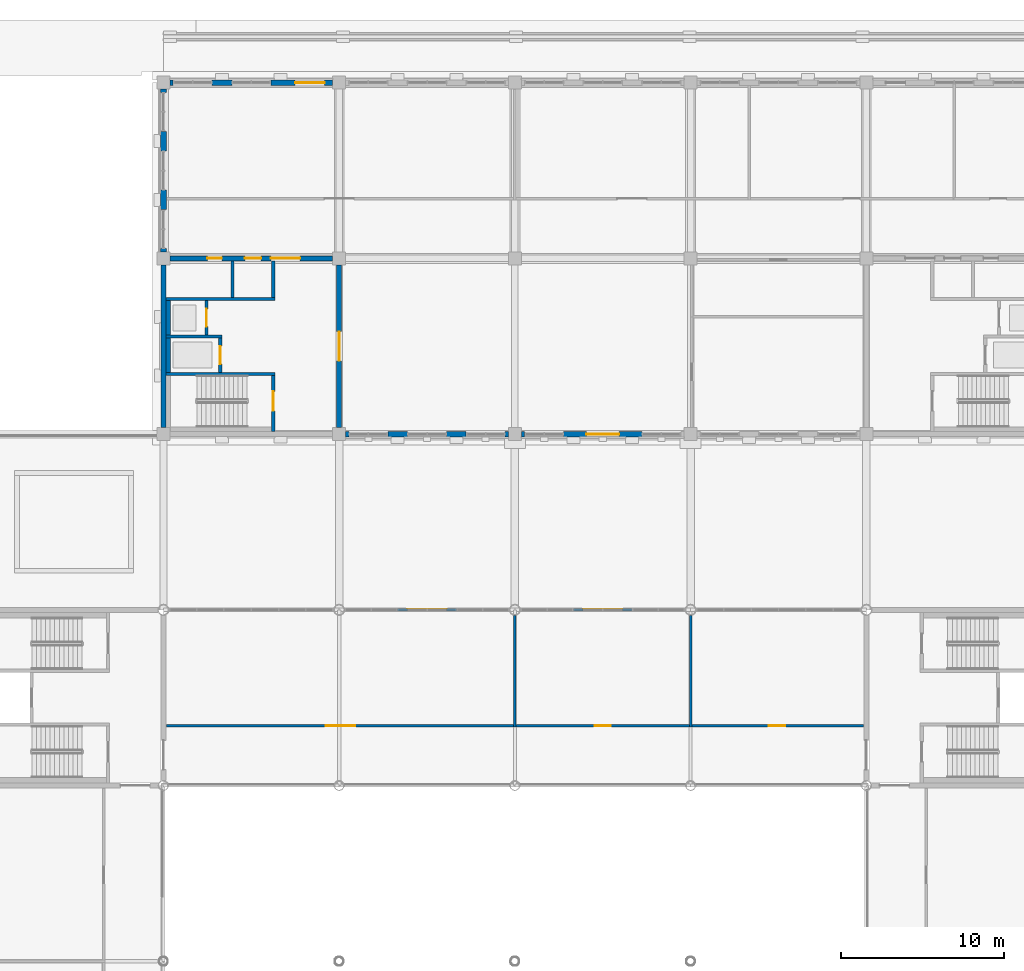
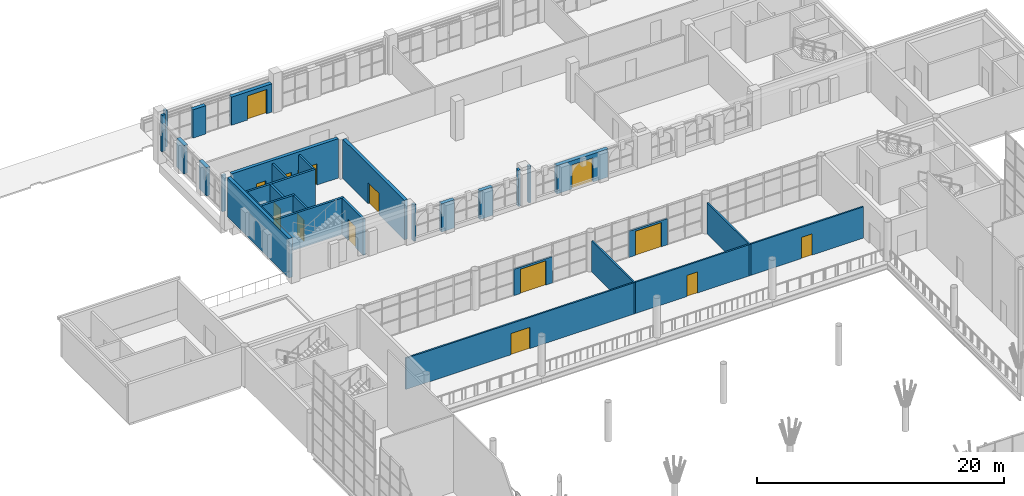
# One storey, part 70 of 95: 33 walls, 14 doors, 14 openings.
"""IFC4 building model written with IfcOpenShell, lengths in metres."""

from ifc_helpers import new_model, si_unit, direction, frame, frame_2d, origin, place, context, subcontext, project, spatial, rectangle, extrude, material, layer, layer_set, type_object, element, fill, save


model = new_model("IFC4")

# Units and contexts
model_context = context("Model", 3, precision=1e-05, world=origin(), true_north=direction((0.0, 1.0)))
body_context = subcontext(model_context, "Body", "Model", "MODEL_VIEW")
ifc_project = project(units=[si_unit("LENGTHUNIT", "METRE"), si_unit("AREAUNIT", "SQUARE_METRE"), si_unit("VOLUMEUNIT", "CUBIC_METRE"), si_unit("PLANEANGLEUNIT", "RADIAN"), si_unit("MASSUNIT", "GRAM", prefix="KILO")], contexts=[model_context])

# Site, building, storey
site_placement = place(None, origin())
site = spatial("IfcSite", under=ifc_project, at=site_placement, CompositionType="ELEMENT")
building_placement = place(site_placement, origin())
building = spatial("IfcBuilding", under=site, at=building_placement, Name="Magnolia Steps Interchange", CompositionType="ELEMENT")
storey_placement = place(building_placement, frame((0.0, 0.0, 4.800048828125)))
storey = spatial("IfcBuildingStorey", under=building, at=storey_placement, Name="L01", CompositionType="ELEMENT", Elevation=4.800048828125)

# Wall, opening, door
ifc_material_1 = material(Name="Concrete C35", Category="concrete")
ifc_layer_1 = layer(ifc_material_1, 0.199951171875)
ifc_layer_set_1 = layer_set([ifc_layer_1], Name="Core enclosure wall 200")
wall_type_1 = type_object("IfcWallType", Name="Core enclosure wall 200", PredefinedType="SOLIDWALL", material=ifc_layer_set_1)
wall_1_placement = place(storey_placement, frame((70.75, 96.550048828125, 0.0), z_axis=(0.0, 0.0, 1.0), x_axis=(0.0, 1.0, 0.0)))
wall_1 = element("IfcWall", 1, at=wall_1_placement, inside=storey, type_object=wall_type_1, Name="L01 OC-W enclosure wall", PredefinedType="SOLIDWALL", context=body_context, shape_type="SweptSolid", body=[
    extrude(rectangle(XDim=3.449951171875, YDim=0.199951171875, at=frame_2d((1.72509765625, 0.0))), origin(), (0.0, 0.0, 1.0), 3.599853515625),
])
opening_1_placement = place(wall_1_placement, frame((1.27490234375, 0.0, 0.0)))
opening_1 = element("IfcOpeningElement", 2, at=opening_1_placement, cuts=wall_1, Name="Opening D-OC-W-L01-1", PredefinedType="OPENING", context=body_context, shape_type="SweptSolid", body=[
    extrude(rectangle(XDim=1.199951171875, YDim=2.10009765625, at=frame_2d((0.60009765625, 1.050048828125))), frame((0.0, 0.10986328125, 0.0), z_axis=(0.0, -1.0, 0.0), x_axis=(1.0, 0.0, 0.0)), (0.0, 0.0, 1.0), 0.219970703125),
])
ifc_material_2 = material(Name="Painted steel", Category="steel")
door_type_1 = type_object("IfcDoorType", Name="Stair fire door 1200x2100", OperationType="NOTDEFINED", PredefinedType="DOOR", material=ifc_material_2)
door_1_placement = place(opening_1_placement, frame((1.199951171875, 0.0, 0.0), z_axis=(0.0, 0.0, 1.0), x_axis=(-1.0, 0.0, 0.0)))
door_1 = element("IfcDoor", 3, at=door_1_placement, inside=storey, type_object=door_type_1, Name="Stair door ST28 L01", OperationType="SINGLE_SWING_LEFT", OverallHeight=2.10009765625, OverallWidth=1.199951171875, PredefinedType="DOOR", context=body_context, shape_type="SweptSolid", body=[
    extrude(rectangle(XDim=1.199951171875, YDim=2.10009765625, at=frame_2d((0.60009765625, 1.050048828125))), frame((0.0, 0.02490234375, 0.0), z_axis=(0.0, -1.0, 0.0), x_axis=(1.0, 0.0, 0.0)), (0.0, 0.0, 1.0), 0.050048828125),
])
fill(opening_1, door_1)

# Wall
wall_2_placement = place(storey_placement, frame((70.85009765625, 100.10009765625, 0.0), z_axis=(0.0, 0.0, 1.0), x_axis=(-1.0, 0.0, 0.0)))
element("IfcWall", 4, at=wall_2_placement, inside=storey, type_object=wall_type_1, Name="L01 OC-W enclosure wall", PredefinedType="SOLIDWALL", context=body_context, shape_type="SweptSolid", body=[
    extrude(rectangle(XDim=6.7001953125, YDim=0.199951171875, at=frame_2d((3.35009765625, 0.0))), origin(), (0.0, 0.0, 1.0), 3.599853515625),
])

# Wall, opening, door
wall_3_placement = place(storey_placement, frame((67.5, 100.199951171875, 0.0), z_axis=(0.0, 0.0, 1.0), x_axis=(0.0, 1.0, 0.0)))
wall_3 = element("IfcWall", 5, at=wall_3_placement, inside=storey, type_object=wall_type_1, Name="L01 OC-W enclosure wall", PredefinedType="SOLIDWALL", context=body_context, shape_type="SweptSolid", body=[
    extrude(rectangle(XDim=2.10009765625, YDim=0.199951171875, at=frame_2d((1.050048828125, 0.0))), origin(), (0.0, 0.0, 1.0), 3.599853515625),
])
opening_2_placement = place(wall_3_placement, frame((0.5, 0.0, 0.0)))
opening_2 = element("IfcOpeningElement", 6, at=opening_2_placement, cuts=wall_3, Name="Opening LD", PredefinedType="OPENING", context=body_context, shape_type="SweptSolid", body=[
    extrude(rectangle(XDim=1.10009765625, YDim=2.10009765625, at=frame_2d((0.550048828125, 1.050048828125))), frame((0.0, 0.10986328125, 0.0), z_axis=(0.0, -1.0, 0.0), x_axis=(1.0, 0.0, 0.0)), (0.0, 0.0, 1.0), 0.219970703125),
])
ifc_material_3 = material(Name="Stainless steel grade 304", Category="steel")
door_type_2 = type_object("IfcDoorType", Name="Lift landing door 1100x2100", OperationType="DOUBLE_DOOR_SLIDING", PredefinedType="DOOR", material=ifc_material_3)
door_2_placement = place(opening_2_placement, frame((1.10009765625, 0.0, 0.0), z_axis=(0.0, 0.0, 1.0), x_axis=(-1.0, 0.0, 0.0)))
door_2 = element("IfcDoor", 7, at=door_2_placement, inside=storey, type_object=door_type_2, Name="Lift landing door LF15 L01", OperationType="DOUBLE_DOOR_SLIDING", OverallHeight=2.10009765625, OverallWidth=1.10009765625, PredefinedType="DOOR", context=body_context, shape_type="SweptSolid", body=[
    extrude(rectangle(XDim=1.10009765625, YDim=2.10009765625, at=frame_2d((0.550048828125, 1.050048828125))), frame((0.0, 0.02490234375, 0.0), z_axis=(0.0, -1.0, 0.0), x_axis=(1.0, 0.0, 0.0)), (0.0, 0.0, 1.0), 0.050048828125),
])
fill(opening_2, door_2)

# Wall
wall_4_placement = place(storey_placement, frame((67.60009765625, 102.39990234375, 0.0), z_axis=(0.0, 0.0, 1.0), x_axis=(-1.0, 0.0, 0.0)))
element("IfcWall", 8, at=wall_4_placement, inside=storey, type_object=wall_type_1, Name="L01 OC-W enclosure wall", PredefinedType="SOLIDWALL", context=body_context, shape_type="SweptSolid", body=[
    extrude(rectangle(XDim=3.4501953125, YDim=0.199951171875, at=frame_2d((1.72509765625, 0.0))), origin(), (0.0, 0.0, 1.0), 3.599853515625),
])

# Wall, opening, door
wall_5_placement = place(storey_placement, frame((66.64990234375, 102.5, 0.0), z_axis=(0.0, 0.0, 1.0), x_axis=(0.0, 1.0, 0.0)))
wall_5 = element("IfcWall", 9, at=wall_5_placement, inside=storey, type_object=wall_type_1, Name="L01 OC-W enclosure wall", PredefinedType="SOLIDWALL", context=body_context, shape_type="SweptSolid", body=[
    extrude(rectangle(XDim=2.10009765625, YDim=0.199951171875, at=frame_2d((1.050048828125, 0.0))), origin(), (0.0, 0.0, 1.0), 3.599853515625),
])
opening_3_placement = place(wall_5_placement, frame((0.5, 0.0, 0.0)))
opening_3 = element("IfcOpeningElement", 10, at=opening_3_placement, cuts=wall_5, Name="Opening LD", PredefinedType="OPENING", context=body_context, shape_type="SweptSolid", body=[
    extrude(rectangle(XDim=1.10009765625, YDim=2.10009765625, at=frame_2d((0.550048828125, 1.050048828125))), frame((0.0, 0.10986328125, 0.0), z_axis=(0.0, -1.0, 0.0), x_axis=(1.0, 0.0, 0.0)), (0.0, 0.0, 1.0), 0.219970703125),
])
door_3_placement = place(opening_3_placement, frame((1.10009765625, 0.0, 0.0), z_axis=(0.0, 0.0, 1.0), x_axis=(-1.0, 0.0, 0.0)))
door_3 = element("IfcDoor", 11, at=door_3_placement, inside=storey, type_object=door_type_2, Name="Lift landing door LF16 L01", OperationType="DOUBLE_DOOR_SLIDING", OverallHeight=2.10009765625, OverallWidth=1.10009765625, PredefinedType="DOOR", context=body_context, shape_type="SweptSolid", body=[
    extrude(rectangle(XDim=1.10009765625, YDim=2.10009765625, at=frame_2d((0.550048828125, 1.050048828125))), frame((0.0, 0.02490234375, 0.0), z_axis=(0.0, -1.0, 0.0), x_axis=(1.0, 0.0, 0.0)), (0.0, 0.0, 1.0), 0.050048828125),
])
fill(opening_3, door_3)

# Walls
wall_6_placement = place(storey_placement, frame((70.85009765625, 104.699951171875, 0.0), z_axis=(0.0, 0.0, 1.0), x_axis=(-1.0, 0.0, 0.0)))
element("IfcWall", 12, at=wall_6_placement, inside=storey, type_object=wall_type_1, Name="L01 OC-W enclosure wall", PredefinedType="SOLIDWALL", context=body_context, shape_type="SweptSolid", body=[
    extrude(rectangle(XDim=6.7001953125, YDim=0.199951171875, at=frame_2d((3.35009765625, 0.0))), origin(), (0.0, 0.0, 1.0), 3.599853515625),
])
wall_7_placement = place(storey_placement, frame((70.75, 104.800048828125, 0.0), z_axis=(0.0, 0.0, 1.0), x_axis=(0.0, 1.0, 0.0)))
element("IfcWall", 13, at=wall_7_placement, inside=storey, type_object=wall_type_1, Name="L01 OC-W enclosure wall", PredefinedType="SOLIDWALL", context=body_context, shape_type="SweptSolid", body=[
    extrude(rectangle(XDim=2.25, YDim=0.199951171875, at=frame_2d((1.125, 0.0))), origin(), (0.0, 0.0, 1.0), 3.599853515625),
])
ifc_material_4 = material(Name="Concrete C35", Category="concrete")
ifc_layer_2 = layer(ifc_material_4, 0.300048828125)
ifc_layer_set_2 = layer_set([ifc_layer_2], Name="Core lining wall 300")
wall_type_2 = type_object("IfcWallType", Name="Core lining wall 300", PredefinedType="SOLIDWALL", material=ifc_layer_set_2)
for number, where, z_axis, x_axis, name in (
    (14, (64.300048828125, 100.199951171875, 0.0), (0.0, 0.0, 1.0), (0.0, 1.0, 0.0), "L01 OC-W stair lining wall"),
    (15, (64.300048828125, 102.5, 0.0), (0.0, 0.0, 1.0), (0.0, 1.0, 0.0), "L01 OC-W stair lining wall"),
):
    element("IfcWall", number, at=place(storey_placement, frame(where, z_axis=z_axis, x_axis=x_axis)), inside=storey, type_object=wall_type_2, Name=name, PredefinedType="SOLIDWALL", context=body_context, shape_type="SweptSolid", body=[
        extrude(rectangle(XDim=2.10009765625, YDim=0.300048828125, at=frame_2d((1.050048828125, 0.0))), origin(), (0.0, 0.0, 1.0), 3.599853515625),
    ])
ifc_material_5 = material(Name="Fair-faced blockwork", Category="masonry")
ifc_layer_3 = layer(ifc_material_5, 0.199951171875)
ifc_layer_set_3 = layer_set([ifc_layer_3], Name="Core partition 200")
wall_type_3 = type_object("IfcWallType", Name="Core partition 200", PredefinedType="PARTITIONING", material=ifc_layer_set_3)
wall_8_placement = place(storey_placement, frame((68.25, 104.800048828125, 0.0), z_axis=(0.0, 0.0, 1.0), x_axis=(0.0, 1.0, 0.0)))
element("IfcWall", 16, at=wall_8_placement, inside=storey, type_object=wall_type_3, Name="L01 OC-W toilet partition", PredefinedType="PARTITIONING", context=body_context, shape_type="SweptSolid", body=[
    extrude(rectangle(XDim=2.25, YDim=0.199951171875, at=frame_2d((1.125, 0.0))), origin(), (0.0, 0.0, 1.0), 3.599853515625),
])

# Wall, opening, door
ifc_material_6 = material(Name="Concrete C40", Category="concrete")
ifc_layer_4 = layer(ifc_material_6, 0.300048828125)
ifc_layer_set_4 = layer_set([ifc_layer_4], Name="Core wall 300")
wall_type_4 = type_object("IfcWallType", Name="Core wall 300", PredefinedType="SOLIDWALL", material=ifc_layer_set_4)
wall_9_placement = place(storey_placement, frame((74.800048828125, 96.800048828125, 0.0), z_axis=(0.0, 0.0, 1.0), x_axis=(0.0, 1.0, 0.0)))
wall_9 = element("IfcWall", 17, at=wall_9_placement, inside=storey, type_object=wall_type_4, Name="Core wall OC-W", PredefinedType="SOLIDWALL", context=body_context, shape_type="SweptSolid", body=[
    extrude(rectangle(XDim=10.0, YDim=0.300048828125, at=frame_2d((5.0, 0.0))), origin(), (0.0, 0.0, 1.0), 3.89990234375),
])
opening_4_placement = place(wall_9_placement, frame((4.10009765625, 0.0, 0.0)))
opening_4 = element("IfcOpeningElement", 18, at=opening_4_placement, cuts=wall_9, Name="Opening D-OC-W-L01-2", PredefinedType="OPENING", context=body_context, shape_type="SweptSolid", body=[
    extrude(rectangle(XDim=1.800048828125, YDim=2.10009765625, at=frame_2d((0.89990234375, 1.050048828125))), frame((0.0, 0.159912109375, 0.0), z_axis=(0.0, -1.0, 0.0), x_axis=(1.0, 0.0, 0.0)), (0.0, 0.0, 1.0), 0.320068359375),
])
ifc_material_7 = material(Name="Timber and glass", Category="wood")
door_type_3 = type_object("IfcDoorType", Name="Core entrance door pair 1800x2100", OperationType="DOUBLE_DOOR_DOUBLE_SWING", PredefinedType="DOOR", material=ifc_material_7)
door_4_placement = place(opening_4_placement, frame((1.800048828125, 0.0, 0.0), z_axis=(0.0, 0.0, 1.0), x_axis=(-1.0, 0.0, 0.0)))
door_4 = element("IfcDoor", 19, at=door_4_placement, inside=storey, type_object=door_type_3, Name="Core entrance door OC-W L01", OperationType="DOUBLE_DOOR_DOUBLE_SWING", OverallHeight=2.10009765625, OverallWidth=1.800048828125, PredefinedType="DOOR", context=body_context, shape_type="SweptSolid", body=[
    extrude(rectangle(XDim=1.800048828125, YDim=2.10009765625, at=frame_2d((0.89990234375, 1.050048828125))), frame((0.0, 0.02490234375, 0.0), z_axis=(0.0, -1.0, 0.0), x_axis=(1.0, 0.0, 0.0)), (0.0, 0.0, 1.0), 0.050048828125),
])
fill(opening_4, door_4)

# Wall, openings, doors
wall_10_placement = place(storey_placement, frame((74.39990234375, 107.199951171875, 0.0), z_axis=(0.0, 0.0, 1.0), x_axis=(-1.0, 0.0, 0.0)))
wall_10 = element("IfcWall", 20, at=wall_10_placement, inside=storey, type_object=wall_type_4, Name="Core wall OC-W", PredefinedType="SOLIDWALL", context=body_context, shape_type="SweptSolid", body=[
    extrude(rectangle(XDim=10.0, YDim=0.300048828125, at=frame_2d((5.0, 0.0))), origin(), (0.0, 0.0, 1.0), 3.89990234375),
])
opening_5_placement = place(wall_10_placement, frame((2.0, 0.0, 0.0)))
opening_5 = element("IfcOpeningElement", 21, at=opening_5_placement, cuts=wall_10, Name="Opening D-OC-W-L01-3", PredefinedType="OPENING", context=body_context, shape_type="SweptSolid", body=[
    extrude(rectangle(XDim=1.800048828125, YDim=2.10009765625, at=frame_2d((0.89990234375, 1.050048828125))), frame((0.0, 0.159912109375, 0.0), z_axis=(0.0, -1.0, 0.0), x_axis=(1.0, 0.0, 0.0)), (0.0, 0.0, 1.0), 0.320068359375),
])
opening_6_placement = place(wall_10_placement, frame((4.39990234375, 0.0, 0.0)))
opening_6 = element("IfcOpeningElement", 22, at=opening_6_placement, cuts=wall_10, Name="Opening D-OC-W-L01-4", PredefinedType="OPENING", context=body_context, shape_type="SweptSolid", body=[
    extrude(rectangle(XDim=1.0, YDim=2.10009765625, at=frame_2d((0.5, 1.050048828125))), frame((0.0, 0.159912109375, 0.0), z_axis=(0.0, -1.0, 0.0), x_axis=(1.0, 0.0, 0.0)), (0.0, 0.0, 1.0), 0.320068359375),
])
opening_7_placement = place(wall_10_placement, frame((6.800048828125, 0.0, 0.0)))
opening_7 = element("IfcOpeningElement", 23, at=opening_7_placement, cuts=wall_10, Name="Opening D-OC-W-L01-5", PredefinedType="OPENING", context=body_context, shape_type="SweptSolid", body=[
    extrude(rectangle(XDim=0.89990234375, YDim=2.10009765625, at=frame_2d((0.449951171875, 1.050048828125))), frame((0.0, 0.159912109375, 0.0), z_axis=(0.0, -1.0, 0.0), x_axis=(1.0, 0.0, 0.0)), (0.0, 0.0, 1.0), 0.320068359375),
])
ifc_material_8 = material(Name="Timber", Category="wood")
door_type_4 = type_object("IfcDoorType", Name="Accessible toilet door 1000x2100", OperationType="NOTDEFINED", PredefinedType="DOOR", material=ifc_material_8)
door_5_placement = place(opening_6_placement, origin())
door_5 = element("IfcDoor", 24, at=door_5_placement, inside=storey, type_object=door_type_4, Name="Accessible Toilet door OC-W L01", OperationType="SINGLE_SWING_LEFT", OverallHeight=2.10009765625, OverallWidth=1.0, PredefinedType="DOOR", context=body_context, shape_type="SweptSolid", body=[
    extrude(rectangle(XDim=1.0, YDim=2.10009765625, at=frame_2d((0.5, 1.050048828125))), frame((0.0, 0.02490234375, 0.0), z_axis=(0.0, -1.0, 0.0), x_axis=(1.0, 0.0, 0.0)), (0.0, 0.0, 1.0), 0.050048828125),
])
fill(opening_6, door_5)
door_6_placement = place(opening_5_placement, frame((1.800048828125, 0.0, 0.0), z_axis=(0.0, 0.0, 1.0), x_axis=(-1.0, 0.0, 0.0)))
door_6 = element("IfcDoor", 25, at=door_6_placement, inside=storey, type_object=door_type_3, Name="Core entrance door OC-W L01", OperationType="DOUBLE_DOOR_DOUBLE_SWING", OverallHeight=2.10009765625, OverallWidth=1.800048828125, PredefinedType="DOOR", context=body_context, shape_type="SweptSolid", body=[
    extrude(rectangle(XDim=1.800048828125, YDim=2.10009765625, at=frame_2d((0.89990234375, 1.050048828125))), frame((0.0, 0.02490234375, 0.0), z_axis=(0.0, -1.0, 0.0), x_axis=(1.0, 0.0, 0.0)), (0.0, 0.0, 1.0), 0.050048828125),
])
fill(opening_5, door_6)
ifc_material_9 = material(Name="Timber", Category="wood")
door_type_5 = type_object("IfcDoorType", Name="Toilet door 900x2100", OperationType="NOTDEFINED", PredefinedType="DOOR", material=ifc_material_9)
door_7_placement = place(opening_7_placement, origin())
door_7 = element("IfcDoor", 26, at=door_7_placement, inside=storey, type_object=door_type_5, Name="Public Toilets door OC-W L01", OperationType="SINGLE_SWING_RIGHT", OverallHeight=2.10009765625, OverallWidth=0.89990234375, PredefinedType="DOOR", context=body_context, shape_type="SweptSolid", body=[
    extrude(rectangle(XDim=0.89990234375, YDim=2.10009765625, at=frame_2d((0.449951171875, 1.050048828125))), frame((0.0, 0.02490234375, 0.0), z_axis=(0.0, -1.0, 0.0), x_axis=(1.0, 0.0, 0.0)), (0.0, 0.0, 1.0), 0.050048828125),
])
fill(opening_7, door_7)

# Wall
wall_11_placement = place(storey_placement, frame((64.0, 106.800048828125, 0.0), z_axis=(0.0, 0.0, 1.0), x_axis=(0.0, -1.0, 0.0)))
element("IfcWall", 27, at=wall_11_placement, inside=storey, type_object=wall_type_4, Name="Core wall OC-W", PredefinedType="SOLIDWALL", context=body_context, shape_type="SweptSolid", body=[
    extrude(rectangle(XDim=10.0, YDim=0.300048828125, at=frame_2d((5.0, 0.0))), origin(), (0.0, 0.0, 1.0), 3.89990234375),
])

# Wall, opening, door
ifc_material_10 = material(Name="Powder-coated aluminium and glass", Category="aluminium")
ifc_layer_5 = layer(ifc_material_10, 0.14990234375)
ifc_layer_set_5 = layer_set([ifc_layer_5], Name="Glazed entrance frame wall 150")
wall_type_5 = type_object("IfcWallType", Name="Glazed entrance frame wall 150", PredefinedType="SOLIDWALL", material=ifc_layer_set_5)
wall_12_placement = place(storey_placement, frame((78.39990234375, 85.60009765625, 0.0), z_axis=(0.0, 0.0, 1.0), x_axis=(1.0, 0.0, 0.0)))
wall_12 = element("IfcWall", 28, at=wall_12_placement, inside=storey, type_object=wall_type_5, Name="EW/HALL/ENT/N3/L01", PredefinedType="SOLIDWALL", context=body_context, shape_type="SweptSolid", body=[
    extrude(rectangle(XDim=3.60009765625, YDim=0.14990234375, at=frame_2d((1.800048828125, 0.0))), origin(), (0.0, 0.0, 1.0), 2.599853515625),
])
opening_8_placement = place(wall_12_placement, frame((0.60009765625, 0.0, 0.0)))
opening_8 = element("IfcOpeningElement", 29, at=opening_8_placement, cuts=wall_12, Name="Opening E06", PredefinedType="OPENING", context=body_context, shape_type="SweptSolid", body=[
    extrude(rectangle(XDim=2.39990234375, YDim=2.39990234375, at=frame_2d((1.199951171875, 1.199951171875))), frame((0.0, 0.0849609375, 0.0), z_axis=(0.0, -1.0, 0.0), x_axis=(1.0, 0.0, 0.0)), (0.0, 0.0, 1.0), 0.169921875),
])
ifc_material_11 = material(Name="Aluminium and glass", Category="aluminium")
door_type_6 = type_object("IfcDoorType", Name="Glazed entrance door 2400 x 2400", OperationType="DOUBLE_DOOR_SLIDING", PredefinedType="DOOR", material=ifc_material_11)
door_8_placement = place(opening_8_placement, origin())
door_8 = element("IfcDoor", 30, at=door_8_placement, inside=storey, type_object=door_type_6, Name="Hall entrance doors N3", OperationType="DOUBLE_DOOR_SLIDING", OverallHeight=2.39990234375, OverallWidth=2.39990234375, PredefinedType="DOOR", context=body_context, shape_type="SweptSolid", body=[
    extrude(rectangle(XDim=2.39990234375, YDim=2.39990234375, at=frame_2d((1.199951171875, 1.199951171875))), frame((0.0, 0.02490234375, 0.0), z_axis=(0.0, -1.0, 0.0), x_axis=(1.0, 0.0, 0.0)), (0.0, 0.0, 1.0), 0.050048828125),
])
fill(opening_8, door_8)

wall_13_placement = place(storey_placement, frame((89.199951171875, 85.60009765625, 0.0), z_axis=(0.0, 0.0, 1.0), x_axis=(1.0, 0.0, 0.0)))
wall_13 = element("IfcWall", 31, at=wall_13_placement, inside=storey, type_object=wall_type_5, Name="EW/HALL/ENT/N4/L01", PredefinedType="SOLIDWALL", context=body_context, shape_type="SweptSolid", body=[
    extrude(rectangle(XDim=3.60009765625, YDim=0.14990234375, at=frame_2d((1.800048828125, 0.0))), origin(), (0.0, 0.0, 1.0), 2.599853515625),
])
opening_9_placement = place(wall_13_placement, frame((0.60009765625, 0.0, 0.0)))
opening_9 = element("IfcOpeningElement", 32, at=opening_9_placement, cuts=wall_13, Name="Opening E07", PredefinedType="OPENING", context=body_context, shape_type="SweptSolid", body=[
    extrude(rectangle(XDim=2.39990234375, YDim=2.39990234375, at=frame_2d((1.199951171875, 1.199951171875))), frame((0.0, 0.0849609375, 0.0), z_axis=(0.0, -1.0, 0.0), x_axis=(1.0, 0.0, 0.0)), (0.0, 0.0, 1.0), 0.169921875),
])
door_9_placement = place(opening_9_placement, origin())
door_9 = element("IfcDoor", 33, at=door_9_placement, inside=storey, type_object=door_type_6, Name="Hall entrance doors N4", OperationType="DOUBLE_DOOR_SLIDING", OverallHeight=2.39990234375, OverallWidth=2.39990234375, PredefinedType="DOOR", context=body_context, shape_type="SweptSolid", body=[
    extrude(rectangle(XDim=2.39990234375, YDim=2.39990234375, at=frame_2d((1.199951171875, 1.199951171875))), frame((0.0, 0.02490234375, 0.0), z_axis=(0.0, -1.0, 0.0), x_axis=(1.0, 0.0, 0.0)), (0.0, 0.0, 1.0), 0.050048828125),
])
fill(opening_9, door_9)

# Walls
ifc_material_12 = material(Name="Lime render on masonry", Category="masonry")
ifc_layer_6 = layer(ifc_material_12, 0.35009765625)
ifc_layer_set_6 = layer_set([ifc_layer_6], Name="Lime render wall 350")
wall_type_6 = type_object("IfcWallType", Name="Lime render wall 350", PredefinedType="SOLIDWALL", material=ifc_layer_set_6)
wall_14_placement = place(storey_placement, frame((75.199951171875, 96.39990234375, 0.0), z_axis=(0.0, 0.0, 1.0), x_axis=(1.0, 0.0, 0.0)))
element("IfcWall", 34, at=wall_14_placement, inside=storey, type_object=wall_type_6, Name="Operations lobby south pier 1", PredefinedType="SOLIDWALL", context=body_context, shape_type="SweptSolid", body=[
    extrude(rectangle(XDim=0.199951171875, YDim=0.35009765625, at=frame_2d((0.10009765625, 0.0))), origin(), (0.0, 0.0, 1.0), 3.599853515625),
])
wall_15_placement = place(storey_placement, frame((77.800048828125, 96.39990234375, 0.0), z_axis=(0.0, 0.0, 1.0), x_axis=(1.0, 0.0, 0.0)))
element("IfcWall", 35, at=wall_15_placement, inside=storey, type_object=wall_type_6, Name="Operations lobby south pier 3", PredefinedType="SOLIDWALL", context=body_context, shape_type="SweptSolid", body=[
    extrude(rectangle(XDim=1.199951171875, YDim=0.35009765625, at=frame_2d((0.60009765625, 0.0))), origin(), (0.0, 0.0, 1.0), 2.800048828125),
])
wall_16_placement = place(storey_placement, frame((81.39990234375, 96.39990234375, 0.0), z_axis=(0.0, 0.0, 1.0), x_axis=(1.0, 0.0, 0.0)))
element("IfcWall", 36, at=wall_16_placement, inside=storey, type_object=wall_type_6, Name="Operations lobby south pier 5", PredefinedType="SOLIDWALL", context=body_context, shape_type="SweptSolid", body=[
    extrude(rectangle(XDim=1.2001953125, YDim=0.35009765625, at=frame_2d((0.60009765625, 0.0))), origin(), (0.0, 0.0, 1.0), 2.800048828125),
])
for number, where, z_axis, x_axis, name in (
    (37, (85.0, 96.39990234375, 0.0), (0.0, 0.0, 1.0), (1.0, 0.0, 0.0), "Operations lobby south pier 7"),
    (38, (86.0, 96.39990234375, 0.0), (0.0, 0.0, 1.0), (1.0, 0.0, 0.0), "Operations lobby south pier 7"),
):
    element("IfcWall", number, at=place(storey_placement, frame(where, z_axis=z_axis, x_axis=x_axis)), inside=storey, type_object=wall_type_6, Name=name, PredefinedType="SOLIDWALL", context=body_context, shape_type="SweptSolid", body=[
        extrude(rectangle(XDim=0.199951171875, YDim=0.35009765625, at=frame_2d((0.10009765625, 0.0))), origin(), (0.0, 0.0, 1.0), 3.599853515625),
    ])

# Wall, opening, door
wall_17_placement = place(storey_placement, frame((88.60009765625, 96.39990234375, 0.0), z_axis=(0.0, 0.0, 1.0), x_axis=(1.0, 0.0, 0.0)))
wall_17 = element("IfcWall", 39, at=wall_17_placement, inside=storey, type_object=wall_type_6, Name="Operations lobby south pier 9", PredefinedType="SOLIDWALL", context=body_context, shape_type="SweptSolid", body=[
    extrude(rectangle(XDim=4.7998046875, YDim=0.35009765625, at=frame_2d((2.39990234375, 0.0))), origin(), (0.0, 0.0, 1.0), 2.800048828125),
])
opening_10_placement = place(wall_17_placement, frame((1.39990234375, 0.0, 0.0)))
opening_10 = element("IfcOpeningElement", 40, at=opening_10_placement, cuts=wall_17, Name="Opening E01", PredefinedType="OPENING", context=body_context, shape_type="SweptSolid", body=[
    extrude(rectangle(XDim=2.0, YDim=2.39990234375, at=frame_2d((1.0, 1.199951171875))), frame((0.0, 0.18505859375, 0.0), z_axis=(0.0, -1.0, 0.0), x_axis=(1.0, 0.0, 0.0)), (0.0, 0.0, 1.0), 0.3701171875),
])
ifc_material_13 = material(Name="Aluminium and glass", Category="aluminium")
door_type_7 = type_object("IfcDoorType", Name="Glazed lobby double door 2000 x 2400", OperationType="DOUBLE_DOOR_SINGLE_SWING", PredefinedType="DOOR", material=ifc_material_13)
door_10_placement = place(opening_10_placement, origin())
door_10 = element("IfcDoor", 41, at=door_10_placement, inside=storey, type_object=door_type_7, Name="Operations entrance doors", OperationType="DOUBLE_DOOR_SINGLE_SWING", OverallHeight=2.39990234375, OverallWidth=2.0, PredefinedType="DOOR", context=body_context, shape_type="SweptSolid", body=[
    extrude(rectangle(XDim=2.0, YDim=2.39990234375, at=frame_2d((1.0, 1.199951171875))), frame((0.0, 0.02490234375, 0.0), z_axis=(0.0, -1.0, 0.0), x_axis=(1.0, 0.0, 0.0)), (0.0, 0.0, 1.0), 0.050048828125),
])
fill(opening_10, door_10)

# Walls
wall_18_placement = place(storey_placement, frame((64.39990234375, 118.0, 0.0), z_axis=(0.0, 0.0, 1.0), x_axis=(1.0, 0.0, 0.0)))
element("IfcWall", 42, at=wall_18_placement, inside=storey, type_object=wall_type_6, Name="Operations lobby north pier 1", PredefinedType="SOLIDWALL", context=body_context, shape_type="SweptSolid", body=[
    extrude(rectangle(XDim=0.2001953125, YDim=0.35009765625, at=frame_2d((0.10009765625, 0.0))), origin(), (0.0, 0.0, 1.0), 3.599853515625),
])
wall_19_placement = place(storey_placement, frame((67.0, 118.0, 0.0), z_axis=(0.0, 0.0, 1.0), x_axis=(1.0, 0.0, 0.0)))
element("IfcWall", 43, at=wall_19_placement, inside=storey, type_object=wall_type_6, Name="Operations lobby north pier 3", PredefinedType="SOLIDWALL", context=body_context, shape_type="SweptSolid", body=[
    extrude(rectangle(XDim=1.199951171875, YDim=0.35009765625, at=frame_2d((0.60009765625, 0.0))), origin(), (0.0, 0.0, 1.0), 2.800048828125),
])

# Wall, opening, door
wall_20_placement = place(storey_placement, frame((70.60009765625, 118.0, 0.0), z_axis=(0.0, 0.0, 1.0), x_axis=(1.0, 0.0, 0.0)))
wall_20 = element("IfcWall", 44, at=wall_20_placement, inside=storey, type_object=wall_type_6, Name="Operations lobby north pier 5", PredefinedType="SOLIDWALL", context=body_context, shape_type="SweptSolid", body=[
    extrude(rectangle(XDim=3.7998046875, YDim=0.35009765625, at=frame_2d((1.89990234375, 0.0))), origin(), (0.0, 0.0, 1.0), 2.800048828125),
])
opening_11_placement = place(wall_20_placement, frame((1.5, 0.0, 0.0)))
opening_11 = element("IfcOpeningElement", 45, at=opening_11_placement, cuts=wall_20, Name="Opening E02", PredefinedType="OPENING", context=body_context, shape_type="SweptSolid", body=[
    extrude(rectangle(XDim=1.800048828125, YDim=2.39990234375, at=frame_2d((0.89990234375, 1.199951171875))), frame((0.0, 0.18505859375, 0.0), z_axis=(0.0, -1.0, 0.0), x_axis=(1.0, 0.0, 0.0)), (0.0, 0.0, 1.0), 0.3701171875),
])
ifc_material_14 = material(Name="Timber", Category="wood")
door_type_8 = type_object("IfcDoorType", Name="Timber double door 1800 x 2400", OperationType="DOUBLE_DOOR_DOUBLE_SWING", PredefinedType="DOOR", material=ifc_material_14)
door_11_placement = place(opening_11_placement, origin())
door_11 = element("IfcDoor", 46, at=door_11_placement, inside=storey, type_object=door_type_8, Name="Staff entrance doors", OperationType="DOUBLE_DOOR_DOUBLE_SWING", OverallHeight=2.39990234375, OverallWidth=1.800048828125, PredefinedType="DOOR", context=body_context, shape_type="SweptSolid", body=[
    extrude(rectangle(XDim=1.800048828125, YDim=2.39990234375, at=frame_2d((0.89990234375, 1.199951171875))), frame((0.0, 0.02490234375, 0.0), z_axis=(0.0, -1.0, 0.0), x_axis=(1.0, 0.0, 0.0)), (0.0, 0.0, 1.0), 0.050048828125),
])
fill(opening_11, door_11)

# Walls
wall_21_placement = place(storey_placement, frame((64.0, 107.60009765625, 0.0), z_axis=(0.0, 0.0, 1.0), x_axis=(0.0, 1.0, 0.0)))
element("IfcWall", 47, at=wall_21_placement, inside=storey, type_object=wall_type_6, Name="Operations lobby west pier 1", PredefinedType="SOLIDWALL", context=body_context, shape_type="SweptSolid", body=[
    extrude(rectangle(XDim=0.199951171875, YDim=0.35009765625, at=frame_2d((0.10009765625, 0.0))), origin(), (0.0, 0.0, 1.0), 3.599853515625),
])
for number, where, z_axis, x_axis, name in (
    (48, (64.0, 110.199951171875, 0.0), (0.0, 0.0, 1.0), (0.0, 1.0, 0.0), "Operations lobby west pier 3"),
    (49, (64.0, 113.800048828125, 0.0), (0.0, 0.0, 1.0), (0.0, 1.0, 0.0), "Operations lobby west pier 5"),
):
    element("IfcWall", number, at=place(storey_placement, frame(where, z_axis=z_axis, x_axis=x_axis)), inside=storey, type_object=wall_type_6, Name=name, PredefinedType="SOLIDWALL", context=body_context, shape_type="SweptSolid", body=[
        extrude(rectangle(XDim=1.199951171875, YDim=0.35009765625, at=frame_2d((0.60009765625, 0.0))), origin(), (0.0, 0.0, 1.0), 2.800048828125),
    ])
wall_22_placement = place(storey_placement, frame((64.0, 117.39990234375, 0.0), z_axis=(0.0, 0.0, 1.0), x_axis=(0.0, 1.0, 0.0)))
element("IfcWall", 50, at=wall_22_placement, inside=storey, type_object=wall_type_6, Name="Operations lobby west pier 7", PredefinedType="SOLIDWALL", context=body_context, shape_type="SweptSolid", body=[
    extrude(rectangle(XDim=0.2001953125, YDim=0.35009765625, at=frame_2d((0.10009765625, 0.0))), origin(), (0.0, 0.0, 1.0), 3.599853515625),
])

# Wall, opening, door
ifc_material_15 = material(Name="Fair-faced blockwork", Category="masonry")
ifc_layer_7 = layer(ifc_material_15, 0.14990234375)
ifc_layer_set_7 = layer_set([ifc_layer_7], Name="Partition wall 150")
wall_type_7 = type_object("IfcWallType", Name="Partition wall 150", PredefinedType="PARTITIONING", material=ifc_layer_set_7)
wall_23_placement = place(storey_placement, frame((64.179931640625, 78.47509765625, 0.0), z_axis=(0.0, 0.0, 1.0), x_axis=(1.0, 0.0, 0.0)))
wall_23 = element("IfcWall", 51, at=wall_23_placement, inside=storey, type_object=wall_type_7, Name="L01 partition 1", PredefinedType="PARTITIONING", context=body_context, shape_type="SweptSolid", body=[
    extrude(rectangle(XDim=21.420166015625, YDim=0.14990234375, at=frame_2d((10.7099609375, 0.0))), origin(), (0.0, 0.0, 1.0), 3.099853515625),
])
opening_12_placement = place(wall_23_placement, frame((9.81005859375, 0.0, 0.0)))
opening_12 = element("IfcOpeningElement", 52, at=opening_12_placement, cuts=wall_23, Name="Opening D-L01-1", PredefinedType="OPENING", context=body_context, shape_type="SweptSolid", body=[
    extrude(rectangle(XDim=1.800048828125, YDim=2.10009765625, at=frame_2d((0.89990234375, 1.050048828125))), frame((0.0, 0.0849609375, 0.0), z_axis=(0.0, -1.0, 0.0), x_axis=(1.0, 0.0, 0.0)), (0.0, 0.0, 1.0), 0.169921875),
])
ifc_material_16 = material(Name="Timber", Category="wood")
door_type_9 = type_object("IfcDoorType", Name="Room door pair 1800x2100", OperationType="DOUBLE_DOOR_DOUBLE_SWING", PredefinedType="DOOR", material=ifc_material_16)
door_12_placement = place(opening_12_placement, frame((1.800048828125, 0.0, 0.0), z_axis=(0.0, 0.0, 1.0), x_axis=(-1.0, 0.0, 0.0)))
door_12 = element("IfcDoor", 53, at=door_12_placement, inside=storey, type_object=door_type_9, Name="Gallery Cafe Seating door", OperationType="DOUBLE_DOOR_DOUBLE_SWING", OverallHeight=2.10009765625, OverallWidth=1.800048828125, PredefinedType="DOOR", context=body_context, shape_type="SweptSolid", body=[
    extrude(rectangle(XDim=1.800048828125, YDim=2.10009765625, at=frame_2d((0.89990234375, 1.050048828125))), frame((0.0, 0.02490234375, 0.0), z_axis=(0.0, -1.0, 0.0), x_axis=(1.0, 0.0, 0.0)), (0.0, 0.0, 1.0), 0.050048828125),
])
fill(opening_12, door_12)

wall_24_placement = place(storey_placement, frame((85.60009765625, 78.47509765625, 0.0), z_axis=(0.0, 0.0, 1.0), x_axis=(1.0, 0.0, 0.0)))
wall_24 = element("IfcWall", 54, at=wall_24_placement, inside=storey, type_object=wall_type_7, Name="L01 partition 2", PredefinedType="PARTITIONING", context=body_context, shape_type="SweptSolid", body=[
    extrude(rectangle(XDim=10.7998046875, YDim=0.14990234375, at=frame_2d((5.39990234375, 0.0))), origin(), (0.0, 0.0, 1.0), 3.099853515625),
])
opening_13_placement = place(wall_24_placement, frame((4.89990234375, 0.0, 0.0)))
opening_13 = element("IfcOpeningElement", 55, at=opening_13_placement, cuts=wall_24, Name="Opening D-L01-2", PredefinedType="OPENING", context=body_context, shape_type="SweptSolid", body=[
    extrude(rectangle(XDim=1.0, YDim=2.10009765625, at=frame_2d((0.5, 1.050048828125))), frame((0.0, 0.0849609375, 0.0), z_axis=(0.0, -1.0, 0.0), x_axis=(1.0, 0.0, 0.0)), (0.0, 0.0, 1.0), 0.169921875),
])
ifc_material_17 = material(Name="Timber", Category="wood")
door_type_10 = type_object("IfcDoorType", Name="Room door 1000x2100", OperationType="NOTDEFINED", PredefinedType="DOOR", material=ifc_material_17)
door_13_placement = place(opening_13_placement, frame((1.0, 0.0, 0.0), z_axis=(0.0, 0.0, 1.0), x_axis=(-1.0, 0.0, 0.0)))
door_13 = element("IfcDoor", 56, at=door_13_placement, inside=storey, type_object=door_type_10, Name="Waiting Lounge 1 door", OperationType="SINGLE_SWING_RIGHT", OverallHeight=2.10009765625, OverallWidth=1.0, PredefinedType="DOOR", context=body_context, shape_type="SweptSolid", body=[
    extrude(rectangle(XDim=1.0, YDim=2.10009765625, at=frame_2d((0.5, 1.050048828125))), frame((0.0, 0.02490234375, 0.0), z_axis=(0.0, -1.0, 0.0), x_axis=(1.0, 0.0, 0.0)), (0.0, 0.0, 1.0), 0.050048828125),
])
fill(opening_13, door_13)

wall_25_placement = place(storey_placement, frame((96.39990234375, 78.47509765625, 0.0), z_axis=(0.0, 0.0, 1.0), x_axis=(1.0, 0.0, 0.0)))
wall_25 = element("IfcWall", 57, at=wall_25_placement, inside=storey, type_object=wall_type_7, Name="L01 partition 3", PredefinedType="PARTITIONING", context=body_context, shape_type="SweptSolid", body=[
    extrude(rectangle(XDim=10.6201171875, YDim=0.14990234375, at=frame_2d((5.31005859375, 0.0))), origin(), (0.0, 0.0, 1.0), 3.099853515625),
])
opening_14_placement = place(wall_25_placement, frame((4.81005859375, 0.0, 0.0)))
opening_14 = element("IfcOpeningElement", 58, at=opening_14_placement, cuts=wall_25, Name="Opening D-L01-3", PredefinedType="OPENING", context=body_context, shape_type="SweptSolid", body=[
    extrude(rectangle(XDim=1.0, YDim=2.10009765625, at=frame_2d((0.5, 1.050048828125))), frame((0.0, 0.0849609375, 0.0), z_axis=(0.0, -1.0, 0.0), x_axis=(1.0, 0.0, 0.0)), (0.0, 0.0, 1.0), 0.169921875),
])
door_14_placement = place(opening_14_placement, origin())
door_14 = element("IfcDoor", 59, at=door_14_placement, inside=storey, type_object=door_type_10, Name="Retail Unit 4 door", OperationType="SINGLE_SWING_RIGHT", OverallHeight=2.10009765625, OverallWidth=1.0, PredefinedType="DOOR", context=body_context, shape_type="SweptSolid", body=[
    extrude(rectangle(XDim=1.0, YDim=2.10009765625, at=frame_2d((0.5, 1.050048828125))), frame((0.0, 0.02490234375, 0.0), z_axis=(0.0, -1.0, 0.0), x_axis=(1.0, 0.0, 0.0)), (0.0, 0.0, 1.0), 0.050048828125),
])
fill(opening_14, door_14)

# Walls
for number, where, z_axis, x_axis, name in (
    (60, (85.60009765625, 78.39990234375, 0.0), (0.0, 0.0, 1.0), (0.0, 1.0, 0.0), "L01 partition 9"),
    (61, (96.39990234375, 78.39990234375, 0.0), (0.0, 0.0, 1.0), (0.0, 1.0, 0.0), "L01 partition 10"),
):
    element("IfcWall", number, at=place(storey_placement, frame(where, z_axis=z_axis, x_axis=x_axis)), inside=storey, type_object=wall_type_7, Name=name, PredefinedType="PARTITIONING", context=body_context, shape_type="SweptSolid", body=[
        extrude(rectangle(XDim=6.85009765625, YDim=0.14990234375, at=frame_2d((3.425048828125, 0.0))), origin(), (0.0, 0.0, 1.0), 3.099853515625),
    ])

save(model, "model.ifc")
